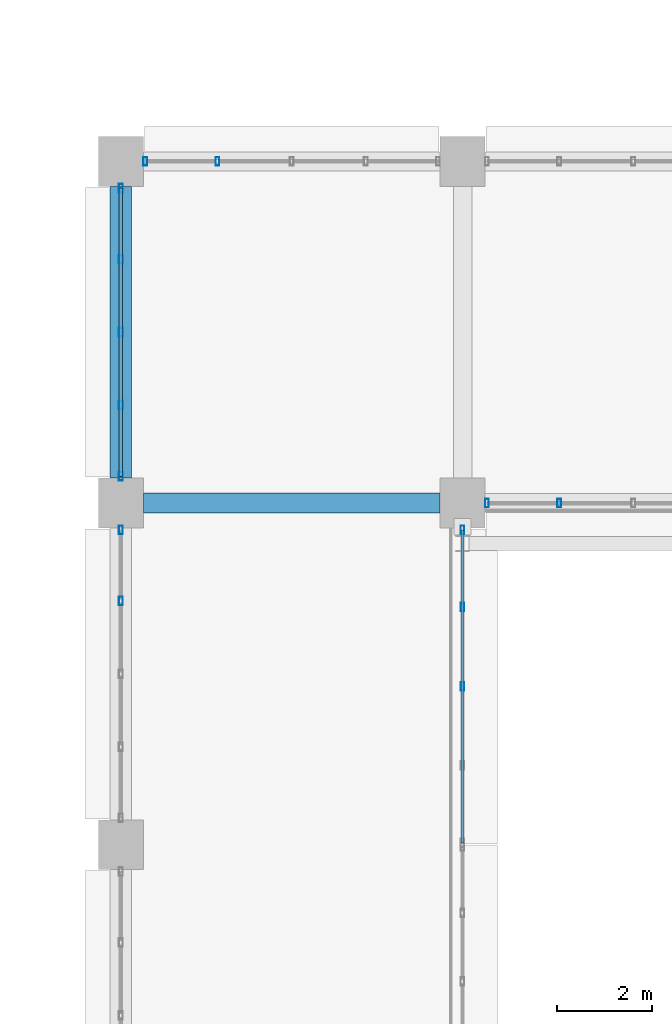
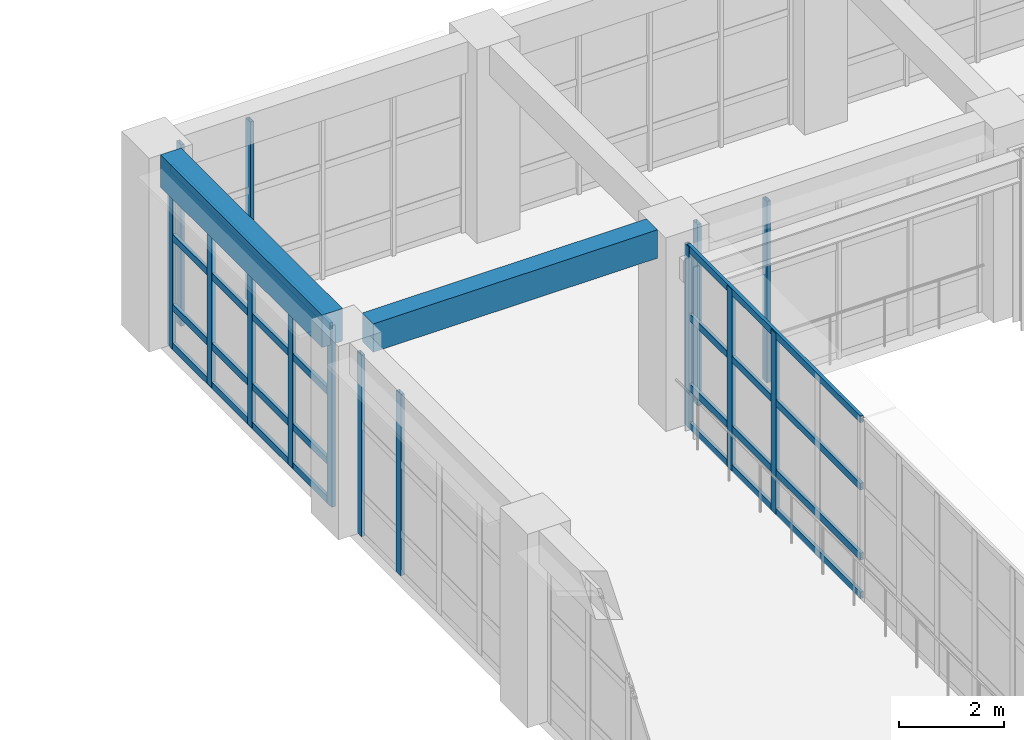
# One storey, part 44 of 171: 22 members, 2 beams, 5 elements without a shape of their own.
"""IFC4 building model written with IfcOpenShell, lengths in metres."""

from ifc_helpers import new_model, si_unit, direction, frame, origin, origin_2d, place, context, subcontext, project, spatial, rectangle, hollow_rectangle, extrude, material, material_profile, profile_set, type_object, element, aggregate, save


model = new_model("IFC4")

# Units and contexts
model_context = context("Model", 3, precision=1e-05, world=origin(), true_north=direction((0.0, 1.0)))
body_context = subcontext(model_context, "Body", "Model", "MODEL_VIEW")
ifc_project = project(units=[si_unit("LENGTHUNIT", "METRE"), si_unit("AREAUNIT", "SQUARE_METRE"), si_unit("VOLUMEUNIT", "CUBIC_METRE"), si_unit("PLANEANGLEUNIT", "RADIAN"), si_unit("MASSUNIT", "GRAM", prefix="KILO")], contexts=[model_context])

# Site, building, storey
site_placement = place(None, origin())
site = spatial("IfcSite", under=ifc_project, at=site_placement, CompositionType="ELEMENT")
building_placement = place(site_placement, origin())
building = spatial("IfcBuilding", under=site, at=building_placement, Name="Thalmaran Polytechnic", CompositionType="ELEMENT")
storey_placement = place(building_placement, frame((0.0, 0.0, 5.39990234375)))
storey = spatial("IfcBuildingStorey", under=building, at=storey_placement, Name="L01", CompositionType="ELEMENT", Elevation=5.39990234375)

# Beams
ifc_material_1 = material(Name="Concrete C40/50", Category="concrete")
ifc_material_profile_1 = material_profile(ifc_material_1, rectangle(XDim=0.449951171875, YDim=0.7548828125, at=origin_2d()), Name="RC 450x755")
ifc_profile_set_1 = profile_set([ifc_material_profile_1], Name="Concrete C40/50")
beam_type_1 = type_object("IfcBeamType", Name="BM-SP02", PredefinedType="SPANDREL", material=ifc_profile_set_1)
beam_1_placement = place(storey_placement, frame((108.0, 50.925048828125, 4.12255859375), z_axis=(0.0, 1.0, 0.0), x_axis=(-1.0, 0.0, 0.0)))
element("IfcBeam", 1, at=beam_1_placement, inside=storey, type_object=beam_type_1, Name="Grid Beam SP02 L01 Y(15,7)", PredefinedType="SPANDREL", context=body_context, shape_type="SweptSolid", body=[
    extrude(rectangle(XDim=0.449951171875, YDim=0.7548828125, at=origin_2d()), origin(), (0.0, 0.0, 1.0), 6.14990234375),
])
ifc_material_profile_2 = material_profile(ifc_material_1, rectangle(XDim=0.419921875, YDim=0.659912109375, at=origin_2d()), Name="RC 420x660")
ifc_profile_set_2 = profile_set([ifc_material_profile_2], Name="Concrete C40/50")
beam_type_2 = type_object("IfcBeamType", Name="BM-ZB04", PredefinedType="BEAM", material=ifc_profile_set_2)
beam_2_placement = place(storey_placement, frame((108.47509765625, 50.39990234375, 4.170166015625), z_axis=(1.0, 0.0, 0.0), x_axis=(0.0, 1.0, 0.0)))
element("IfcBeam", 2, at=beam_2_placement, inside=storey, type_object=beam_type_2, Name="Grid Beam ZB04 L01 X(15,7)", PredefinedType="BEAM", context=body_context, shape_type="SweptSolid", body=[
    extrude(rectangle(XDim=0.419921875, YDim=0.659912109375, at=origin_2d()), origin(), (0.0, 0.0, 1.0), 6.25),
])

# Curtain wall, members
ifc_material_2 = material(Name="Aluminium 6063-T6", Category="aluminium")
curtain_wall_type = type_object("IfcCurtainWallType", Name="CW-UC02", PredefinedType="USERDEFINED", material=ifc_material_2)
curtain_wall_1_placement = place(storey_placement, origin())
curtain_wall_1 = element("IfcCurtainWall", 3, at=curtain_wall_1_placement, inside=storey, type_object=curtain_wall_type, Name="Curtain Wall CW-L01-104", ObjectType="UNITISED CURTAIN WALL", PredefinedType="USERDEFINED")
ifc_material_profile_3 = material_profile(ifc_material_2, hollow_rectangle(XDim=0.080078125, YDim=0.179931640625, WallThickness=0.0048828125, at=origin_2d()), Name="RHS 180x80x5.0")
ifc_profile_set_3 = profile_set([ifc_material_profile_3], Name="Aluminium 6063-T6")
member_type_1 = type_object("IfcMemberType", Name="CW-MUL1", PredefinedType="MULLION", material=ifc_profile_set_3)
member_1_placement = place(storey_placement, frame((117.237548828125, 50.39990234375, 0.0), z_axis=(0.0, 0.0, 1.0), x_axis=(1.0, 0.0, 0.0)))
member_1 = element("IfcMember", 4, at=member_1_placement, type_object=member_type_1, Name="CW-L01-104 Mullion 4", PredefinedType="MULLION", context=body_context, shape_type="SweptSolid", body=[
    extrude(hollow_rectangle(XDim=0.080078125, YDim=0.179931640625, WallThickness=0.0048828125, at=origin_2d()), origin(), (0.0, 0.0, 1.0), 4.210205078125),
])
member_2_placement = place(storey_placement, frame((115.715087890625, 50.39990234375, 0.0), z_axis=(0.0, 0.0, 1.0), x_axis=(1.0, 0.0, 0.0)))
member_2 = element("IfcMember", 5, at=member_2_placement, type_object=member_type_1, Name="CW-L01-104 Mullion 5", PredefinedType="MULLION", context=body_context, shape_type="SweptSolid", body=[
    extrude(hollow_rectangle(XDim=0.080078125, YDim=0.179931640625, WallThickness=0.0048828125, at=origin_2d()), origin(), (0.0, 0.0, 1.0), 4.210205078125),
])
aggregate(curtain_wall_1, [member_1, member_2])

curtain_wall_2_placement = place(storey_placement, origin())
curtain_wall_2 = element("IfcCurtainWall", 6, at=curtain_wall_2_placement, inside=storey, type_object=curtain_wall_type, Name="Curtain Wall CW-L01-105", ObjectType="UNITISED CURTAIN WALL", PredefinedType="USERDEFINED")
member_3_placement = place(storey_placement, frame((115.199951171875, 49.8349609375, 0.0), z_axis=(0.0, 0.0, 1.0), x_axis=(1.0, 0.0, 0.0)))
member_3 = element("IfcMember", 7, at=member_3_placement, type_object=member_type_1, Name="CW-L01-105 Mullion 1", PredefinedType="MULLION", context=body_context, shape_type="SweptSolid", body=[
    extrude(hollow_rectangle(XDim=0.080078125, YDim=0.179931640625, WallThickness=0.0048828125, at=origin_2d()), origin(), (0.0, 0.0, 1.0), 4.210205078125),
])
member_4_placement = place(storey_placement, frame((115.199951171875, 48.206298828125, 0.0), z_axis=(0.0, 0.0, 1.0), x_axis=(1.0, 0.0, 0.0)))
member_4 = element("IfcMember", 8, at=member_4_placement, type_object=member_type_1, Name="CW-L01-105 Mullion 2", PredefinedType="MULLION", context=body_context, shape_type="SweptSolid", body=[
    extrude(hollow_rectangle(XDim=0.080078125, YDim=0.179931640625, WallThickness=0.0048828125, at=origin_2d()), origin(), (0.0, 0.0, 1.0), 4.210205078125),
])
member_5_placement = place(storey_placement, frame((115.199951171875, 46.53759765625, 0.0), z_axis=(0.0, 0.0, 1.0), x_axis=(1.0, 0.0, 0.0)))
member_5 = element("IfcMember", 9, at=member_5_placement, type_object=member_type_1, Name="CW-L01-105 Mullion 3", PredefinedType="MULLION", context=body_context, shape_type="SweptSolid", body=[
    extrude(hollow_rectangle(XDim=0.080078125, YDim=0.179931640625, WallThickness=0.0048828125, at=origin_2d()), origin(), (0.0, 0.0, 1.0), 4.210205078125),
])

curtain_wall_3_placement = place(storey_placement, origin())
curtain_wall_3 = element("IfcCurtainWall", 10, at=curtain_wall_3_placement, inside=storey, type_object=curtain_wall_type, Name="Curtain Wall CW-L01-175", ObjectType="UNITISED CURTAIN WALL", PredefinedType="USERDEFINED")
member_6_placement = place(storey_placement, frame((108.0, 48.33740234375, 0.0), z_axis=(0.0, 0.0, 1.0), x_axis=(1.0, 0.0, 0.0)))
member_6 = element("IfcMember", 11, at=member_6_placement, type_object=member_type_1, Name="CW-L01-175 Mullion 4", PredefinedType="MULLION", context=body_context, shape_type="SweptSolid", body=[
    extrude(hollow_rectangle(XDim=0.080078125, YDim=0.179931640625, WallThickness=0.0048828125, at=origin_2d()), origin(), (0.0, 0.0, 1.0), 4.210205078125),
])
member_7_placement = place(storey_placement, frame((108.0, 49.8349609375, 0.0), z_axis=(0.0, 0.0, 1.0), x_axis=(1.0, 0.0, 0.0)))
member_7 = element("IfcMember", 12, at=member_7_placement, type_object=member_type_1, Name="CW-L01-175 Mullion 5", PredefinedType="MULLION", context=body_context, shape_type="SweptSolid", body=[
    extrude(hollow_rectangle(XDim=0.080078125, YDim=0.179931640625, WallThickness=0.0048828125, at=origin_2d()), origin(), (0.0, 0.0, 1.0), 4.210205078125),
])
aggregate(curtain_wall_3, [member_6, member_7])

curtain_wall_4_placement = place(storey_placement, origin())
curtain_wall_4 = element("IfcCurtainWall", 13, at=curtain_wall_4_placement, inside=storey, type_object=curtain_wall_type, Name="Curtain Wall CW-L01-176", ObjectType="UNITISED CURTAIN WALL", PredefinedType="USERDEFINED")
member_8_placement = place(storey_placement, frame((108.0, 50.965087890625, 0.0), z_axis=(0.0, 0.0, 1.0), x_axis=(1.0, 0.0, 0.0)))
member_8 = element("IfcMember", 14, at=member_8_placement, type_object=member_type_1, Name="CW-L01-176 Mullion 1", PredefinedType="MULLION", context=body_context, shape_type="SweptSolid", body=[
    extrude(hollow_rectangle(XDim=0.080078125, YDim=0.179931640625, WallThickness=0.0048828125, at=origin_2d()), origin(), (0.0, 0.0, 1.0), 4.210205078125),
])
member_9_placement = place(storey_placement, frame((108.0, 52.46240234375, 0.0), z_axis=(0.0, 0.0, 1.0), x_axis=(1.0, 0.0, 0.0)))
member_9 = element("IfcMember", 15, at=member_9_placement, type_object=member_type_1, Name="CW-L01-176 Mullion 2", PredefinedType="MULLION", context=body_context, shape_type="SweptSolid", body=[
    extrude(hollow_rectangle(XDim=0.080078125, YDim=0.179931640625, WallThickness=0.0048828125, at=origin_2d()), origin(), (0.0, 0.0, 1.0), 4.210205078125),
])
member_10_placement = place(storey_placement, frame((108.0, 54.0, 0.0), z_axis=(0.0, 0.0, 1.0), x_axis=(1.0, 0.0, 0.0)))
member_10 = element("IfcMember", 16, at=member_10_placement, type_object=member_type_1, Name="CW-L01-176 Mullion 3", PredefinedType="MULLION", context=body_context, shape_type="SweptSolid", body=[
    extrude(hollow_rectangle(XDim=0.080078125, YDim=0.179931640625, WallThickness=0.0048828125, at=origin_2d()), origin(), (0.0, 0.0, 1.0), 4.210205078125),
])
member_11_placement = place(storey_placement, frame((108.0, 55.53759765625, 0.0), z_axis=(0.0, 0.0, 1.0), x_axis=(1.0, 0.0, 0.0)))
member_11 = element("IfcMember", 17, at=member_11_placement, type_object=member_type_1, Name="CW-L01-176 Mullion 4", PredefinedType="MULLION", context=body_context, shape_type="SweptSolid", body=[
    extrude(hollow_rectangle(XDim=0.080078125, YDim=0.179931640625, WallThickness=0.0048828125, at=origin_2d()), origin(), (0.0, 0.0, 1.0), 4.210205078125),
])
member_12_placement = place(storey_placement, frame((108.0, 57.034912109375, 0.0), z_axis=(0.0, 0.0, 1.0), x_axis=(1.0, 0.0, 0.0)))
member_12 = element("IfcMember", 18, at=member_12_placement, type_object=member_type_1, Name="CW-L01-176 Mullion 5", PredefinedType="MULLION", context=body_context, shape_type="SweptSolid", body=[
    extrude(hollow_rectangle(XDim=0.080078125, YDim=0.179931640625, WallThickness=0.0048828125, at=origin_2d()), origin(), (0.0, 0.0, 1.0), 4.210205078125),
])

curtain_wall_5_placement = place(storey_placement, origin())
curtain_wall_5 = element("IfcCurtainWall", 19, at=curtain_wall_5_placement, inside=storey, type_object=curtain_wall_type, Name="Curtain Wall CW-L01-177", ObjectType="UNITISED CURTAIN WALL", PredefinedType="USERDEFINED")
member_13_placement = place(storey_placement, frame((108.514892578125, 57.60009765625, 0.0), z_axis=(0.0, 0.0, 1.0), x_axis=(1.0, 0.0, 0.0)))
member_13 = element("IfcMember", 20, at=member_13_placement, type_object=member_type_1, Name="CW-L01-177 Mullion 1", PredefinedType="MULLION", context=body_context, shape_type="SweptSolid", body=[
    extrude(hollow_rectangle(XDim=0.080078125, YDim=0.179931640625, WallThickness=0.0048828125, at=origin_2d()), origin(), (0.0, 0.0, 1.0), 4.210205078125),
])
member_14_placement = place(storey_placement, frame((110.03759765625, 57.60009765625, 0.0), z_axis=(0.0, 0.0, 1.0), x_axis=(1.0, 0.0, 0.0)))
member_14 = element("IfcMember", 21, at=member_14_placement, type_object=member_type_1, Name="CW-L01-177 Mullion 2", PredefinedType="MULLION", context=body_context, shape_type="SweptSolid", body=[
    extrude(hollow_rectangle(XDim=0.080078125, YDim=0.179931640625, WallThickness=0.0048828125, at=origin_2d()), origin(), (0.0, 0.0, 1.0), 4.210205078125),
])
aggregate(curtain_wall_5, [member_13, member_14])

# Member
ifc_material_profile_4 = material_profile(ifc_material_2, hollow_rectangle(XDim=0.070068359375, YDim=0.159912109375, WallThickness=0.00390625, at=origin_2d()), Name="AL 160x70x4.0")
ifc_profile_set_4 = profile_set([ifc_material_profile_4], Name="Aluminium 6063-T6")
member_type_2 = type_object("IfcMemberType", Name="CW-TRN1", PredefinedType="USERDEFINED", material=ifc_profile_set_4)
member_15_placement = place(storey_placement, frame((115.199951171875, 49.8349609375, 0.06005859375), z_axis=(0.0, -1.0, 0.0), x_axis=(1.0, 0.0, 0.0)))
member_15 = element("IfcMember", 22, at=member_15_placement, type_object=member_type_2, Name="CW-L01-105 Transom 1", ObjectType="TRANSOM", PredefinedType="USERDEFINED", context=body_context, shape_type="SweptSolid", body=[
    extrude(hollow_rectangle(XDim=0.070068359375, YDim=0.159912109375, WallThickness=0.00390625, at=origin_2d()), origin(), (0.0, 0.0, 1.0), 6.594970703125),
])

member_16_placement = place(storey_placement, frame((115.199951171875, 49.8349609375, 0.960205078125), z_axis=(0.0, -1.0, 0.0), x_axis=(1.0, 0.0, 0.0)))
member_16 = element("IfcMember", 23, at=member_16_placement, type_object=member_type_2, Name="CW-L01-105 Transom 2", ObjectType="TRANSOM", PredefinedType="USERDEFINED", context=body_context, shape_type="SweptSolid", body=[
    extrude(hollow_rectangle(XDim=0.070068359375, YDim=0.159912109375, WallThickness=0.00390625, at=origin_2d()), origin(), (0.0, 0.0, 1.0), 6.594970703125),
])

member_17_placement = place(storey_placement, frame((115.199951171875, 49.8349609375, 2.585205078125), z_axis=(0.0, -1.0, 0.0), x_axis=(1.0, 0.0, 0.0)))
member_17 = element("IfcMember", 24, at=member_17_placement, type_object=member_type_2, Name="CW-L01-105 Transom 3", ObjectType="TRANSOM", PredefinedType="USERDEFINED", context=body_context, shape_type="SweptSolid", body=[
    extrude(hollow_rectangle(XDim=0.070068359375, YDim=0.159912109375, WallThickness=0.00390625, at=origin_2d()), origin(), (0.0, 0.0, 1.0), 6.594970703125),
])

member_18_placement = place(storey_placement, frame((115.199951171875, 49.8349609375, 4.150146484375), z_axis=(0.0, -1.0, 0.0), x_axis=(1.0, 0.0, 0.0)))
member_18 = element("IfcMember", 25, at=member_18_placement, type_object=member_type_2, Name="CW-L01-105 Transom 4", ObjectType="TRANSOM", PredefinedType="USERDEFINED", context=body_context, shape_type="SweptSolid", body=[
    extrude(hollow_rectangle(XDim=0.070068359375, YDim=0.159912109375, WallThickness=0.00390625, at=origin_2d()), origin(), (0.0, 0.0, 1.0), 6.594970703125),
])

aggregate(curtain_wall_2, [member_3, member_4, member_5, member_15, member_16, member_17, member_18])

member_19_placement = place(storey_placement, frame((108.0, 50.965087890625, 0.06005859375), z_axis=(0.0, 1.0, 0.0), x_axis=(-1.0, 0.0, 0.0)))
member_19 = element("IfcMember", 26, at=member_19_placement, type_object=member_type_2, Name="CW-L01-176 Transom 1", ObjectType="TRANSOM", PredefinedType="USERDEFINED", context=body_context, shape_type="SweptSolid", body=[
    extrude(hollow_rectangle(XDim=0.070068359375, YDim=0.159912109375, WallThickness=0.00390625, at=origin_2d()), origin(), (0.0, 0.0, 1.0), 6.06982421875),
])

member_20_placement = place(storey_placement, frame((108.0, 50.965087890625, 0.960205078125), z_axis=(0.0, 1.0, 0.0), x_axis=(-1.0, 0.0, 0.0)))
member_20 = element("IfcMember", 27, at=member_20_placement, type_object=member_type_2, Name="CW-L01-176 Transom 2", ObjectType="TRANSOM", PredefinedType="USERDEFINED", context=body_context, shape_type="SweptSolid", body=[
    extrude(hollow_rectangle(XDim=0.070068359375, YDim=0.159912109375, WallThickness=0.00390625, at=origin_2d()), origin(), (0.0, 0.0, 1.0), 6.06982421875),
])

member_21_placement = place(storey_placement, frame((108.0, 50.965087890625, 2.585205078125), z_axis=(0.0, 1.0, 0.0), x_axis=(-1.0, 0.0, 0.0)))
member_21 = element("IfcMember", 28, at=member_21_placement, type_object=member_type_2, Name="CW-L01-176 Transom 3", ObjectType="TRANSOM", PredefinedType="USERDEFINED", context=body_context, shape_type="SweptSolid", body=[
    extrude(hollow_rectangle(XDim=0.070068359375, YDim=0.159912109375, WallThickness=0.00390625, at=origin_2d()), origin(), (0.0, 0.0, 1.0), 6.06982421875),
])

member_22_placement = place(storey_placement, frame((108.0, 50.965087890625, 4.150146484375), z_axis=(0.0, 1.0, 0.0), x_axis=(-1.0, 0.0, 0.0)))
member_22 = element("IfcMember", 29, at=member_22_placement, type_object=member_type_2, Name="CW-L01-176 Transom 4", ObjectType="TRANSOM", PredefinedType="USERDEFINED", context=body_context, shape_type="SweptSolid", body=[
    extrude(hollow_rectangle(XDim=0.070068359375, YDim=0.159912109375, WallThickness=0.00390625, at=origin_2d()), origin(), (0.0, 0.0, 1.0), 6.06982421875),
])

aggregate(curtain_wall_4, [member_8, member_9, member_10, member_11, member_12, member_19, member_20, member_21, member_22])

save(model, "model.ifc")
